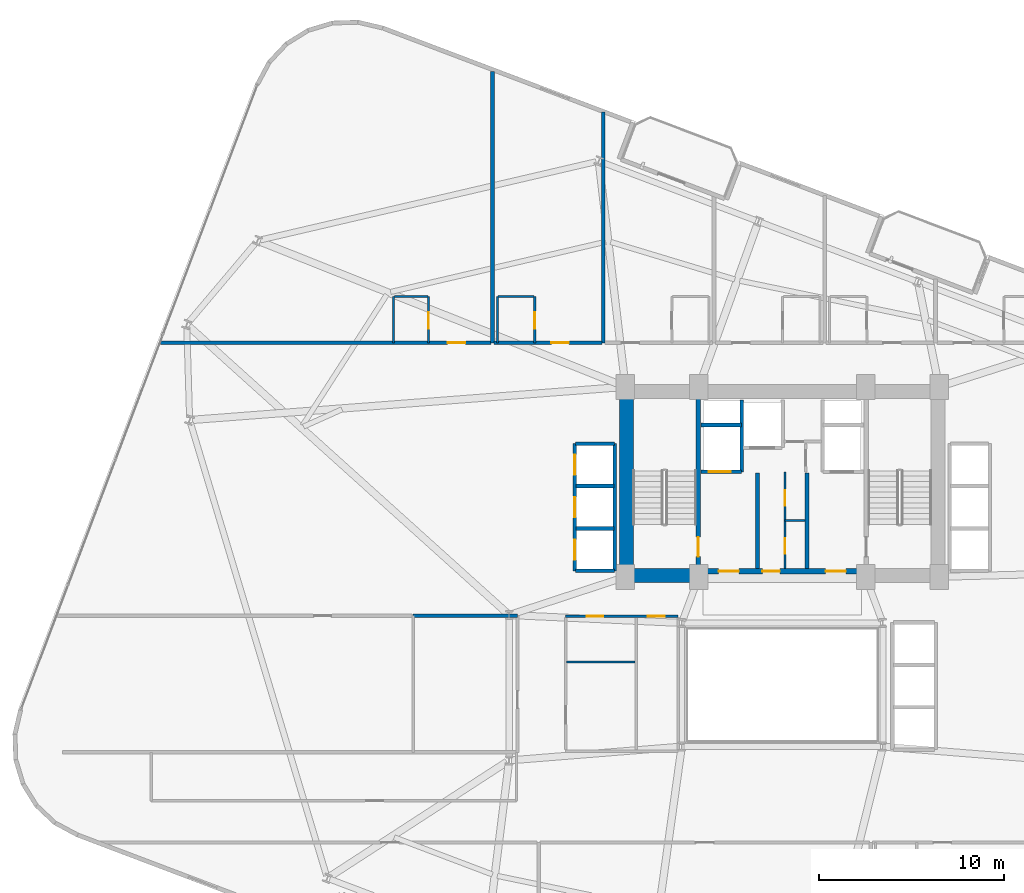
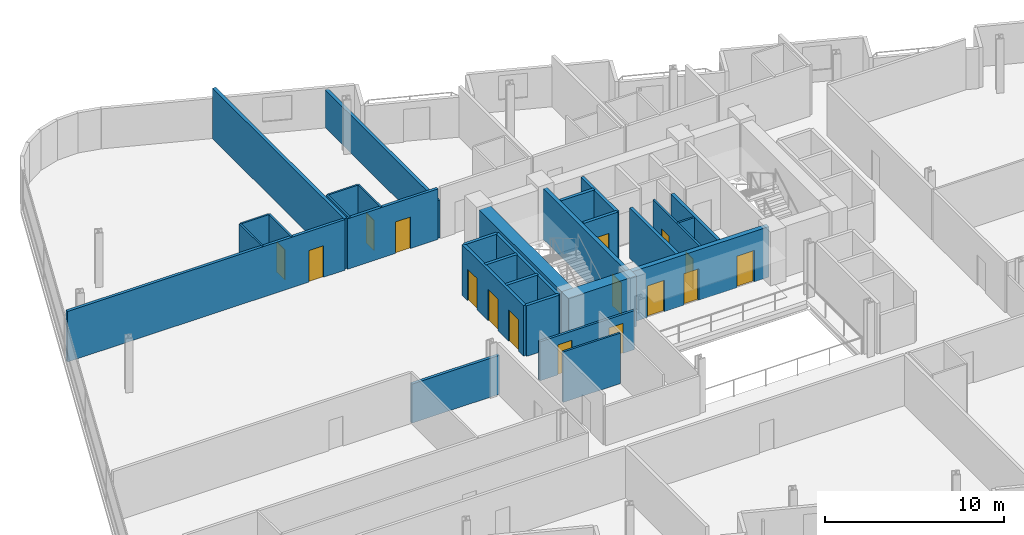
# One storey, part 18 of 24: 30 walls, 16 doors, 16 openings.
"""IFC4 building model written with IfcOpenShell, lengths in metres."""

from ifc_helpers import new_model, si_unit, direction, frame, frame_2d, origin, place, context, subcontext, project, spatial, rectangle, extrude, material, layer, layer_set, type_object, element, fill, save


model = new_model("IFC4")

# Units and contexts
model_context = context("Model", 3, precision=1e-05, world=origin(), true_north=direction((0.0, 1.0)))
body_context = subcontext(model_context, "Body", "Model", "MODEL_VIEW")
ifc_project = project(units=[si_unit("LENGTHUNIT", "METRE"), si_unit("AREAUNIT", "SQUARE_METRE"), si_unit("VOLUMEUNIT", "CUBIC_METRE"), si_unit("PLANEANGLEUNIT", "RADIAN"), si_unit("MASSUNIT", "GRAM", prefix="KILO")], contexts=[model_context])

# Site, building, storey
site_placement = place(None, origin())
site = spatial("IfcSite", under=ifc_project, at=site_placement, CompositionType="ELEMENT")
building_placement = place(site_placement, origin())
building = spatial("IfcBuilding", under=site, at=building_placement, Name="Varnelok Gate Tower", CompositionType="ELEMENT")
storey_placement = place(building_placement, frame((0.0, 0.0, 87.300048828125)))
storey = spatial("IfcBuildingStorey", under=building, at=storey_placement, Name="L21", CompositionType="ELEMENT", Elevation=87.300048828125)

# Wall, opening, door
ifc_material_1 = material(Name="Gypsum Plasterboard Acoustic Partition", Category="gypsum")
ifc_layer_1 = layer(ifc_material_1, 0.179931640625)
ifc_layer_set_1 = layer_set([ifc_layer_1], Name="Gypsum Plasterboard Acoustic Partition")
wall_type_1 = type_object("IfcWallType", Name="PW-CORR-180", PredefinedType="PARTITIONING", material=ifc_layer_set_1)
wall_1_placement = place(storey_placement, frame((5.505859375, 41.429931640625, 0.0), z_axis=(0.0, 0.0, 1.0), x_axis=(1.0, 0.0, 0.0)))
wall_1 = element("IfcWall", 1, at=wall_1_placement, inside=storey, type_object=wall_type_1, Name="Interior Partition", PredefinedType="PARTITIONING", context=body_context, shape_type="SweptSolid", body=[
    extrude(rectangle(XDim=17.9140625, YDim=0.179931640625, at=frame_2d((8.95703125, 0.0))), origin(), (0.0, 0.0, 1.0), 3.449951171875),
])
opening_1_placement = place(wall_1_placement, frame((15.564208984375, 0.0, 0.0)))
opening_1 = element("IfcOpeningElement", 2, at=opening_1_placement, cuts=wall_1, Name="Opening D-HT", PredefinedType="OPENING", context=body_context, shape_type="SweptSolid", body=[
    extrude(rectangle(XDim=0.949951171875, YDim=2.14990234375, at=frame_2d((0.47509765625, 1.074951171875))), frame((0.0, 0.099853515625, 0.0), z_axis=(0.0, -1.0, 0.0), x_axis=(1.0, 0.0, 0.0)), (0.0, 0.0, 1.0), 0.199951171875),
])
ifc_material_2 = material(Name="Engineered Hardwood Timber", Category="wood")
door_type_1 = type_object("IfcDoorType", Name="DR-HTL-950", OperationType="NOTDEFINED", PredefinedType="DOOR", material=ifc_material_2)
door_1_placement = place(opening_1_placement, origin())
door_1 = element("IfcDoor", 3, at=door_1_placement, inside=storey, type_object=door_type_1, Name="L21 Guest Room 05 Entrance Door", OperationType="SINGLE_SWING_RIGHT", OverallHeight=2.14990234375, OverallWidth=0.949951171875, PredefinedType="DOOR", context=body_context, shape_type="SweptSolid", body=[
    extrude(rectangle(XDim=0.949951171875, YDim=2.14990234375, at=frame_2d((0.47509765625, 1.074951171875))), frame((0.0, 0.02490234375, 0.0), z_axis=(0.0, -1.0, 0.0), x_axis=(1.0, 0.0, 0.0)), (0.0, 0.0, 1.0), 0.050048828125),
])
fill(opening_1, door_1)

wall_2_placement = place(storey_placement, frame((23.580078125, 41.429931640625, 0.0), z_axis=(0.0, 0.0, 1.0), x_axis=(1.0, 0.0, 0.0)))
wall_2 = element("IfcWall", 4, at=wall_2_placement, inside=storey, type_object=wall_type_1, Name="Interior Partition", PredefinedType="PARTITIONING", context=body_context, shape_type="SweptSolid", body=[
    extrude(rectangle(XDim=5.83984375, YDim=0.179931640625, at=frame_2d((2.919921875, 0.0))), origin(), (0.0, 0.0, 1.0), 3.449951171875),
])
opening_2_placement = place(wall_2_placement, frame((3.101318359375, 0.0, 0.0)))
opening_2 = element("IfcOpeningElement", 5, at=opening_2_placement, cuts=wall_2, Name="Opening D-HT", PredefinedType="OPENING", context=body_context, shape_type="SweptSolid", body=[
    extrude(rectangle(XDim=0.949951171875, YDim=2.14990234375, at=frame_2d((0.47509765625, 1.074951171875))), frame((0.0, 0.099853515625, 0.0), z_axis=(0.0, -1.0, 0.0), x_axis=(1.0, 0.0, 0.0)), (0.0, 0.0, 1.0), 0.199951171875),
])
door_2_placement = place(opening_2_placement, origin())
door_2 = element("IfcDoor", 6, at=door_2_placement, inside=storey, type_object=door_type_1, Name="L21 Guest Room 06 Entrance Door", OperationType="SINGLE_SWING_LEFT", OverallHeight=2.14990234375, OverallWidth=0.949951171875, PredefinedType="DOOR", context=body_context, shape_type="SweptSolid", body=[
    extrude(rectangle(XDim=0.949951171875, YDim=2.14990234375, at=frame_2d((0.47509765625, 1.074951171875))), frame((0.0, 0.02490234375, 0.0), z_axis=(0.0, -1.0, 0.0), x_axis=(1.0, 0.0, 0.0)), (0.0, 0.0, 1.0), 0.050048828125),
])
fill(opening_2, door_2)

# Walls
wall_3_placement = place(storey_placement, frame((19.199951171875, 26.639892578125, 0.0), z_axis=(0.0, 0.0, 1.0), x_axis=(1.0, 0.0, 0.0)))
element("IfcWall", 7, at=wall_3_placement, inside=storey, type_object=wall_type_1, Name="Interior Partition", PredefinedType="PARTITIONING", context=body_context, shape_type="SweptSolid", body=[
    extrude(rectangle(XDim=5.650146484375, YDim=0.179931640625, at=frame_2d((2.8251953125, 0.0))), origin(), (0.0, 0.0, 1.0), 2.661865234375),
])
ifc_layer_2 = layer(ifc_material_1, 0.114990234375)
ifc_layer_set_2 = layer_set([ifc_layer_2], Name="Gypsum Plasterboard Acoustic Partition")
wall_type_2 = type_object("IfcWallType", Name="PW-ENS-125", PredefinedType="PARTITIONING", material=ifc_layer_set_2)
wall_4_placement = place(storey_placement, frame((18.179931640625, 43.949951171875, 0.0), z_axis=(0.0, 0.0, 1.0), x_axis=(1.0, 0.0, 0.0)))
element("IfcWall", 8, at=wall_4_placement, inside=storey, type_object=wall_type_2, Name="Interior Partition", PredefinedType="PARTITIONING", context=body_context, shape_type="SweptSolid", body=[
    extrude(rectangle(XDim=1.807373046875, YDim=0.114990234375, at=frame_2d((0.90380859375, 0.0))), origin(), (0.0, 0.0, 1.0), 3.449951171875),
])

# Wall, opening, door
wall_5_placement = place(storey_placement, frame((20.027099609375, 41.429931640625, 0.0), z_axis=(0.0, 0.0, 1.0), x_axis=(0.0, 1.0, 0.0)))
wall_5 = element("IfcWall", 9, at=wall_5_placement, inside=storey, type_object=wall_type_2, Name="Interior Partition", PredefinedType="PARTITIONING", context=body_context, shape_type="SweptSolid", body=[
    extrude(rectangle(XDim=2.52001953125, YDim=0.114990234375, at=frame_2d((1.260009765625, 0.0))), origin(), (0.0, 0.0, 1.0), 3.449951171875),
])
opening_3_placement = place(wall_5_placement, frame((0.760009765625, 0.0, 0.0)))
opening_3 = element("IfcOpeningElement", 10, at=opening_3_placement, cuts=wall_5, Name="Opening D-WC", PredefinedType="OPENING", context=body_context, shape_type="SweptSolid", body=[
    extrude(rectangle(XDim=0.89990234375, YDim=2.050048828125, at=frame_2d((0.449951171875, 1.02490234375))), frame((0.0, 0.0673828125, 0.0), z_axis=(0.0, -1.0, 0.0), x_axis=(1.0, 0.0, 0.0)), (0.0, 0.0, 1.0), 0.135009765625),
])
door_type_2 = type_object("IfcDoorType", Name="DR-BATH-900", OperationType="NOTDEFINED", PredefinedType="DOOR", material=ifc_material_2)
door_3_placement = place(opening_3_placement, origin())
door_3 = element("IfcDoor", 11, at=door_3_placement, inside=storey, type_object=door_type_2, Name="L21 North En-Suite 05 Door", OperationType="SINGLE_SWING_RIGHT", OverallHeight=2.050048828125, OverallWidth=0.89990234375, PredefinedType="DOOR", context=body_context, shape_type="SweptSolid", body=[
    extrude(rectangle(XDim=0.89990234375, YDim=2.050048828125, at=frame_2d((0.449951171875, 1.02490234375))), frame((0.0, 0.02490234375, 0.0), z_axis=(0.0, -1.0, 0.0), x_axis=(1.0, 0.0, 0.0)), (0.0, 0.0, 1.0), 0.050048828125),
])
fill(opening_3, door_3)

# Walls
wall_6_placement = place(storey_placement, frame((18.139892578125, 41.429931640625, 0.0), z_axis=(0.0, 0.0, 1.0), x_axis=(0.0, 1.0, 0.0)))
element("IfcWall", 12, at=wall_6_placement, inside=storey, type_object=wall_type_2, Name="Interior Partition", PredefinedType="PARTITIONING", context=body_context, shape_type="SweptSolid", body=[
    extrude(rectangle(XDim=2.52001953125, YDim=0.114990234375, at=frame_2d((1.260009765625, 0.0))), origin(), (0.0, 0.0, 1.0), 3.449951171875),
])
wall_7_placement = place(storey_placement, frame((23.800048828125, 43.949951171875, 0.0), z_axis=(0.0, 0.0, 1.0), x_axis=(1.0, 0.0, 0.0)))
element("IfcWall", 13, at=wall_7_placement, inside=storey, type_object=wall_type_2, Name="Interior Partition", PredefinedType="PARTITIONING", context=body_context, shape_type="SweptSolid", body=[
    extrude(rectangle(XDim=1.94384765625, YDim=0.114990234375, at=frame_2d((0.971923828125, 0.0))), origin(), (0.0, 0.0, 1.0), 3.449951171875),
])

# Wall, opening, door
wall_8_placement = place(storey_placement, frame((25.783935546875, 41.429931640625, 0.0), z_axis=(0.0, 0.0, 1.0), x_axis=(0.0, 1.0, 0.0)))
wall_8 = element("IfcWall", 14, at=wall_8_placement, inside=storey, type_object=wall_type_2, Name="Interior Partition", PredefinedType="PARTITIONING", context=body_context, shape_type="SweptSolid", body=[
    extrude(rectangle(XDim=2.52001953125, YDim=0.114990234375, at=frame_2d((1.260009765625, 0.0))), origin(), (0.0, 0.0, 1.0), 3.449951171875),
])
opening_4_placement = place(wall_8_placement, frame((0.760009765625, 0.0, 0.0)))
opening_4 = element("IfcOpeningElement", 15, at=opening_4_placement, cuts=wall_8, Name="Opening D-WC", PredefinedType="OPENING", context=body_context, shape_type="SweptSolid", body=[
    extrude(rectangle(XDim=0.89990234375, YDim=2.050048828125, at=frame_2d((0.449951171875, 1.02490234375))), frame((0.0, 0.0673828125, 0.0), z_axis=(0.0, -1.0, 0.0), x_axis=(1.0, 0.0, 0.0)), (0.0, 0.0, 1.0), 0.135009765625),
])
door_4_placement = place(opening_4_placement, origin())
door_4 = element("IfcDoor", 16, at=door_4_placement, inside=storey, type_object=door_type_2, Name="L21 North En-Suite 06 Door", OperationType="SINGLE_SWING_RIGHT", OverallHeight=2.050048828125, OverallWidth=0.89990234375, PredefinedType="DOOR", context=body_context, shape_type="SweptSolid", body=[
    extrude(rectangle(XDim=0.89990234375, YDim=2.050048828125, at=frame_2d((0.449951171875, 1.02490234375))), frame((0.0, 0.02490234375, 0.0), z_axis=(0.0, -1.0, 0.0), x_axis=(1.0, 0.0, 0.0)), (0.0, 0.0, 1.0), 0.050048828125),
])
fill(opening_4, door_4)

# Walls
wall_9_placement = place(storey_placement, frame((23.760009765625, 41.429931640625, 0.0), z_axis=(0.0, 0.0, 1.0), x_axis=(0.0, 1.0, 0.0)))
element("IfcWall", 17, at=wall_9_placement, inside=storey, type_object=wall_type_2, Name="Interior Partition", PredefinedType="PARTITIONING", context=body_context, shape_type="SweptSolid", body=[
    extrude(rectangle(XDim=2.52001953125, YDim=0.114990234375, at=frame_2d((1.260009765625, 0.0))), origin(), (0.0, 0.0, 1.0), 3.449951171875),
])
ifc_layer_3 = layer(ifc_material_1, 0.125)
ifc_layer_set_3 = layer_set([ifc_layer_3], Name="Gypsum Plasterboard Acoustic Partition")
wall_type_3 = type_object("IfcWallType", Name="PW-PART-125", PredefinedType="PARTITIONING", material=ifc_layer_set_3)
wall_10_placement = place(storey_placement, frame((39.35009765625, 31.800048828125, 0.0), z_axis=(0.0, 0.0, 1.0), x_axis=(1.0, 0.0, 0.0)))
element("IfcWall", 18, at=wall_10_placement, inside=storey, type_object=wall_type_3, Name="Interior Partition", PredefinedType="PARTITIONING", context=body_context, shape_type="SweptSolid", body=[
    extrude(rectangle(XDim=1.08984375, YDim=0.125, at=frame_2d((0.544921875, 0.0))), origin(), (0.0, 0.0, 1.0), 3.449951171875),
])

# Wall, openings, doors
wall_11_placement = place(storey_placement, frame((39.35009765625, 29.199951171875, 0.0), z_axis=(0.0, 0.0, 1.0), x_axis=(0.0, 1.0, 0.0)))
wall_11 = element("IfcWall", 19, at=wall_11_placement, inside=storey, type_object=wall_type_3, Name="Interior Partition", PredefinedType="PARTITIONING", context=body_context, shape_type="SweptSolid", body=[
    extrude(rectangle(XDim=5.219970703125, YDim=0.125, at=frame_2d((2.60986328125, 0.0))), origin(), (0.0, 0.0, 1.0), 3.449951171875),
])
opening_5_placement = place(wall_11_placement, frame((0.800048828125, 0.0, 0.0)))
opening_5 = element("IfcOpeningElement", 20, at=opening_5_placement, cuts=wall_11, Name="Opening D-RS", PredefinedType="OPENING", context=body_context, shape_type="SweptSolid", body=[
    extrude(rectangle(XDim=0.85009765625, YDim=2.050048828125, at=frame_2d((0.425048828125, 1.02490234375))), frame((0.0, 0.072509765625, 0.0), z_axis=(0.0, -1.0, 0.0), x_axis=(1.0, 0.0, 0.0)), (0.0, 0.0, 1.0), 0.14501953125),
])
opening_6_placement = place(wall_11_placement, frame((3.39990234375, 0.0, 0.0)))
opening_6 = element("IfcOpeningElement", 21, at=opening_6_placement, cuts=wall_11, Name="Opening D-RS", PredefinedType="OPENING", context=body_context, shape_type="SweptSolid", body=[
    extrude(rectangle(XDim=0.85009765625, YDim=2.050048828125, at=frame_2d((0.425048828125, 1.02490234375))), frame((0.0, 0.072509765625, 0.0), z_axis=(0.0, -1.0, 0.0), x_axis=(1.0, 0.0, 0.0)), (0.0, 0.0, 1.0), 0.14501953125),
])
ifc_material_3 = material(Name="Galvanized Steel Grade S350GD", Category="steel")
door_type_3 = type_object("IfcDoorType", Name="DR-RISER-850", OperationType="NOTDEFINED", PredefinedType="DOOR", material=ifc_material_3)
door_5_placement = place(opening_5_placement, origin())
door_5 = element("IfcDoor", 22, at=door_5_placement, inside=storey, type_object=door_type_3, Name="L21 Housekeeping Linen Door", OperationType="SINGLE_SWING_RIGHT", OverallHeight=2.050048828125, OverallWidth=0.85009765625, PredefinedType="DOOR", context=body_context, shape_type="SweptSolid", body=[
    extrude(rectangle(XDim=0.85009765625, YDim=2.050048828125, at=frame_2d((0.425048828125, 1.02490234375))), frame((0.0, 0.02490234375, 0.0), z_axis=(0.0, -1.0, 0.0), x_axis=(1.0, 0.0, 0.0)), (0.0, 0.0, 1.0), 0.050048828125),
])
fill(opening_5, door_5)
door_6_placement = place(opening_6_placement, origin())
door_6 = element("IfcDoor", 23, at=door_6_placement, inside=storey, type_object=door_type_3, Name="L21 Core Supply Door", OperationType="SINGLE_SWING_LEFT", OverallHeight=2.050048828125, OverallWidth=0.85009765625, PredefinedType="DOOR", context=body_context, shape_type="SweptSolid", body=[
    extrude(rectangle(XDim=0.85009765625, YDim=2.050048828125, at=frame_2d((0.425048828125, 1.02490234375))), frame((0.0, 0.02490234375, 0.0), z_axis=(0.0, -1.0, 0.0), x_axis=(1.0, 0.0, 0.0)), (0.0, 0.0, 1.0), 0.050048828125),
])
fill(opening_6, door_6)

# Wall
wall_12_placement = place(storey_placement, frame((27.52001953125, 24.1298828125, 0.0), z_axis=(0.0, 0.0, 1.0), x_axis=(1.0, 0.0, 0.0)))
element("IfcWall", 24, at=wall_12_placement, inside=storey, type_object=wall_type_3, Name="Interior Partition", PredefinedType="PARTITIONING", context=body_context, shape_type="SweptSolid", body=[
    extrude(rectangle(XDim=3.699951171875, YDim=0.125, at=frame_2d((1.85009765625, 0.0))), origin(), (0.0, 0.0, 1.0), 3.449951171875),
])

# Wall, openings, doors
ifc_layer_4 = layer(ifc_material_1, 0.14990234375)
ifc_layer_set_4 = layer_set([ifc_layer_4], Name="Gypsum Plasterboard Acoustic Partition")
wall_type_4 = type_object("IfcWallType", Name="PW-PART-150", PredefinedType="PARTITIONING", material=ifc_layer_set_4)
wall_13_placement = place(storey_placement, frame((27.4599609375, 26.6201171875, 0.0), z_axis=(0.0, 0.0, 1.0), x_axis=(1.0, 0.0, 0.0)))
wall_13 = element("IfcWall", 25, at=wall_13_placement, inside=storey, type_object=wall_type_4, Name="Interior Partition", PredefinedType="PARTITIONING", context=body_context, shape_type="SweptSolid", body=[
    extrude(rectangle(XDim=6.10009765625, YDim=0.14990234375, at=frame_2d((3.050048828125, 0.0))), origin(), (0.0, 0.0, 1.0), 2.661865234375),
])
opening_7_placement = place(wall_13_placement, frame((1.14990234375, 0.0, 0.0)))
opening_7 = element("IfcOpeningElement", 26, at=opening_7_placement, cuts=wall_13, Name="Opening D-WC", PredefinedType="OPENING", context=body_context, shape_type="SweptSolid", body=[
    extrude(rectangle(XDim=0.89990234375, YDim=2.050048828125, at=frame_2d((0.449951171875, 1.02490234375))), frame((0.0, 0.0849609375, 0.0), z_axis=(0.0, -1.0, 0.0), x_axis=(1.0, 0.0, 0.0)), (0.0, 0.0, 1.0), 0.169921875),
])
opening_8_placement = place(wall_13_placement, frame((4.449951171875, 0.0, 0.0)))
opening_8 = element("IfcOpeningElement", 27, at=opening_8_placement, cuts=wall_13, Name="Opening D-I3", PredefinedType="OPENING", context=body_context, shape_type="SweptSolid", body=[
    extrude(rectangle(XDim=0.919921875, YDim=2.050048828125, at=frame_2d((0.4599609375, 1.02490234375))), frame((0.0, 0.0849609375, 0.0), z_axis=(0.0, -1.0, 0.0), x_axis=(1.0, 0.0, 0.0)), (0.0, 0.0, 1.0), 0.169921875),
])
door_7_placement = place(opening_7_placement, origin())
door_7 = element("IfcDoor", 28, at=door_7_placement, inside=storey, type_object=door_type_2, Name="L21 Accessible Floor WC Door", OperationType="SINGLE_SWING_LEFT", OverallHeight=2.050048828125, OverallWidth=0.89990234375, PredefinedType="DOOR", context=body_context, shape_type="SweptSolid", body=[
    extrude(rectangle(XDim=0.89990234375, YDim=2.050048828125, at=frame_2d((0.449951171875, 1.02490234375))), frame((0.0, 0.02490234375, 0.0), z_axis=(0.0, -1.0, 0.0), x_axis=(1.0, 0.0, 0.0)), (0.0, 0.0, 1.0), 0.050048828125),
])
fill(opening_7, door_7)
door_type_4 = type_object("IfcDoorType", Name="DR-INT-920", OperationType="NOTDEFINED", PredefinedType="DOOR", material=ifc_material_2)
door_8_placement = place(opening_8_placement, origin())
door_8 = element("IfcDoor", 29, at=door_8_placement, inside=storey, type_object=door_type_4, Name="L21 Valet Pantry Door", OperationType="SINGLE_SWING_RIGHT", OverallHeight=2.050048828125, OverallWidth=0.919921875, PredefinedType="DOOR", context=body_context, shape_type="SweptSolid", body=[
    extrude(rectangle(XDim=0.919921875, YDim=2.050048828125, at=frame_2d((0.4599609375, 1.02490234375))), frame((0.0, 0.02490234375, 0.0), z_axis=(0.0, -1.0, 0.0), x_axis=(1.0, 0.0, 0.0)), (0.0, 0.0, 1.0), 0.050048828125),
])
fill(opening_8, door_8)

# Walls
ifc_layer_5 = layer(ifc_material_1, 0.205078125)
ifc_layer_set_5 = layer_set([ifc_layer_5], Name="Gypsum Plasterboard Acoustic Partition")
wall_type_5 = type_object("IfcWallType", Name="PW-PARTY-200", PredefinedType="PARTITIONING", material=ifc_layer_set_5)
wall_14_placement = place(storey_placement, frame((23.5, 41.429931640625, 0.0), z_axis=(0.0, 0.0, 1.0), x_axis=(0.0, 1.0, 0.0)))
element("IfcWall", 30, at=wall_14_placement, inside=storey, type_object=wall_type_5, Name="L21 North Party Wall 1", PredefinedType="PARTITIONING", context=body_context, shape_type="SweptSolid", body=[
    extrude(rectangle(XDim=14.708251953125, YDim=0.205078125, at=frame_2d((7.35400390625, 0.0))), origin(), (0.0, 0.0, 1.0), 3.449951171875),
])
wall_15_placement = place(storey_placement, frame((29.5, 41.429931640625, 0.0), z_axis=(0.0, 0.0, 1.0), x_axis=(0.0, 1.0, 0.0)))
element("IfcWall", 31, at=wall_15_placement, inside=storey, type_object=wall_type_5, Name="L21 North Party Wall 2", PredefinedType="PARTITIONING", context=body_context, shape_type="SweptSolid", body=[
    extrude(rectangle(XDim=12.520263671875, YDim=0.205078125, at=frame_2d((6.26025390625, 0.0))), origin(), (0.0, 0.0, 1.0), 2.579833984375),
])
ifc_material_4 = material(Name="Concrete C35/45", Category="concrete")
ifc_layer_6 = layer(ifc_material_4, 0.199951171875)
ifc_layer_set_6 = layer_set([ifc_layer_6], Name="Concrete C35/45")
wall_type_6 = type_object("IfcWallType", Name="PW-SHAFT-200", PredefinedType="PARTITIONING", material=ifc_layer_set_6)
for number, where, z_axis, x_axis, name in (
    (32, (37.860107421875, 29.199951171875, 0.0), (0.0, 0.0, 1.0), (0.0, 1.0, 0.0), "L21 West FF Lobby Rated Wall"),
    (33, (40.5400390625, 29.199951171875, 0.0), (0.0, 0.0, 1.0), (0.0, 1.0, 0.0), "L21 East FF Lobby Rated Wall"),
):
    element("IfcWall", number, at=place(storey_placement, frame(where, z_axis=z_axis, x_axis=x_axis)), inside=storey, type_object=wall_type_6, Name=name, PredefinedType="PARTITIONING", context=body_context, shape_type="SweptSolid", body=[
        extrude(rectangle(XDim=5.179931640625, YDim=0.199951171875, at=frame_2d((2.58984375, 0.0))), origin(), (0.0, 0.0, 1.0), 3.449951171875),
    ])

# Wall, opening, door
wall_16_placement = place(storey_placement, frame((34.800048828125, 34.43994140625, 0.0), z_axis=(0.0, 0.0, 1.0), x_axis=(1.0, 0.0, 0.0)))
wall_16 = element("IfcWall", 34, at=wall_16_placement, inside=storey, type_object=wall_type_6, Name="L21 FF1 Shaft Front Wall", PredefinedType="PARTITIONING", context=body_context, shape_type="SweptSolid", body=[
    extrude(rectangle(XDim=2.179931640625, YDim=0.199951171875, at=frame_2d((1.08984375, 0.0))), origin(), (0.0, 0.0, 1.0), 3.449951171875),
])
opening_9_placement = place(wall_16_placement, frame((0.419921875, 0.0, 0.0)))
opening_9 = element("IfcOpeningElement", 35, at=opening_9_placement, cuts=wall_16, Name="Opening LD-FF1", PredefinedType="OPENING", context=body_context, shape_type="SweptSolid", body=[
    extrude(rectangle(XDim=1.199951171875, YDim=2.199951171875, at=frame_2d((0.60009765625, 1.10009765625))), frame((0.0, 0.10986328125, 0.0), z_axis=(0.0, -1.0, 0.0), x_axis=(1.0, 0.0, 0.0)), (0.0, 0.0, 1.0), 0.219970703125),
])
door_type_5 = type_object("IfcDoorType", Name="DR-LIFT-FF1200", OperationType="SLIDING_TO_LEFT", PredefinedType="DOOR", material=ifc_material_3)
door_9_placement = place(opening_9_placement, origin())
door_9 = element("IfcDoor", 36, at=door_9_placement, inside=storey, type_object=door_type_5, Name="L21 Firefighting Lift Landing Door LD-FF1", OperationType="SLIDING_TO_LEFT", OverallHeight=2.199951171875, OverallWidth=1.199951171875, PredefinedType="DOOR", context=body_context, shape_type="SweptSolid", body=[
    extrude(rectangle(XDim=1.199951171875, YDim=2.199951171875, at=frame_2d((0.60009765625, 1.10009765625))), frame((0.0, 0.02490234375, 0.0), z_axis=(0.0, -1.0, 0.0), x_axis=(1.0, 0.0, 0.0)), (0.0, 0.0, 1.0), 0.050048828125),
])
fill(opening_9, door_9)

# Walls
wall_17_placement = place(storey_placement, frame((34.800048828125, 36.97998046875, 0.0), z_axis=(0.0, 0.0, 1.0), x_axis=(1.0, 0.0, 0.0)))
element("IfcWall", 37, at=wall_17_placement, inside=storey, type_object=wall_type_6, Name="L21 FF1 Shaft North Wall", PredefinedType="PARTITIONING", context=body_context, shape_type="SweptSolid", body=[
    extrude(rectangle(XDim=2.179931640625, YDim=0.199951171875, at=frame_2d((1.08984375, 0.0))), origin(), (0.0, 0.0, 1.0), 3.449951171875),
])
wall_18_placement = place(storey_placement, frame((37.0, 34.43994140625, 0.0), z_axis=(0.0, 0.0, 1.0), x_axis=(0.0, 1.0, 0.0)))
element("IfcWall", 38, at=wall_18_placement, inside=storey, type_object=wall_type_6, Name="L21 FF1 Shaft Side Wall", PredefinedType="PARTITIONING", context=body_context, shape_type="SweptSolid", body=[
    extrude(rectangle(XDim=3.900146484375, YDim=0.199951171875, at=frame_2d((1.9501953125, 0.0))), origin(), (0.0, 0.0, 1.0), 3.449951171875),
])
for number, where, z_axis, x_axis, name in (
    (39, (28.02001953125, 31.375, 0.0), (0.0, 0.0, 1.0), (1.0, 0.0, 0.0), "L21 PL1 Divider"),
    (40, (28.02001953125, 33.675048828125, 0.0), (0.0, 0.0, 1.0), (1.0, 0.0, 0.0), "L21 PL2 Divider"),
):
    element("IfcWall", number, at=place(storey_placement, frame(where, z_axis=z_axis, x_axis=x_axis)), inside=storey, type_object=wall_type_6, Name=name, PredefinedType="PARTITIONING", context=body_context, shape_type="SweptSolid", body=[
        extrude(rectangle(XDim=2.06005859375, YDim=0.199951171875, at=frame_2d((1.030029296875, 0.0))), origin(), (0.0, 0.0, 1.0), 3.449951171875),
    ])
for number, where, z_axis, x_axis, name in (
    (41, (28.0, 29.080078125, 0.0), (0.0, 0.0, 1.0), (1.0, 0.0, 0.0), "L21 PL Bank South Wall"),
    (42, (28.0, 35.969970703125, 0.0), (0.0, 0.0, 1.0), (1.0, 0.0, 0.0), "L21 PL Bank North Wall"),
):
    element("IfcWall", number, at=place(storey_placement, frame(where, z_axis=z_axis, x_axis=x_axis)), inside=storey, type_object=wall_type_6, Name=name, PredefinedType="PARTITIONING", context=body_context, shape_type="SweptSolid", body=[
        extrude(rectangle(XDim=2.10009765625, YDim=0.199951171875, at=frame_2d((1.050048828125, 0.0))), origin(), (0.0, 0.0, 1.0), 3.449951171875),
    ])
wall_19_placement = place(storey_placement, frame((30.1201171875, 29.080078125, 0.0), z_axis=(0.0, 0.0, 1.0), x_axis=(0.0, 1.0, 0.0)))
element("IfcWall", 43, at=wall_19_placement, inside=storey, type_object=wall_type_6, Name="L21 PL Bank Back Wall", PredefinedType="PARTITIONING", context=body_context, shape_type="SweptSolid", body=[
    extrude(rectangle(XDim=6.889892578125, YDim=0.199951171875, at=frame_2d((3.44482421875, 0.0))), origin(), (0.0, 0.0, 1.0), 3.449951171875),
])

# Wall, openings, doors
wall_20_placement = place(storey_placement, frame((27.9599609375, 29.080078125, 0.0), z_axis=(0.0, 0.0, 1.0), x_axis=(0.0, 1.0, 0.0)))
wall_20 = element("IfcWall", 44, at=wall_20_placement, inside=storey, type_object=wall_type_6, Name="L21 PL Bank Front Wall", PredefinedType="PARTITIONING", context=body_context, shape_type="SweptSolid", body=[
    extrude(rectangle(XDim=6.889892578125, YDim=0.199951171875, at=frame_2d((3.44482421875, 0.0))), origin(), (0.0, 0.0, 1.0), 3.449951171875),
])
opening_10_placement = place(wall_20_placement, frame((0.590087890625, 0.0, 0.0)))
opening_10 = element("IfcOpeningElement", 45, at=opening_10_placement, cuts=wall_20, Name="Opening LD-PL1", PredefinedType="OPENING", context=body_context, shape_type="SweptSolid", body=[
    extrude(rectangle(XDim=1.10009765625, YDim=2.14990234375, at=frame_2d((0.550048828125, 1.074951171875))), frame((0.0, 0.10986328125, 0.0), z_axis=(0.0, -1.0, 0.0), x_axis=(1.0, 0.0, 0.0)), (0.0, 0.0, 1.0), 0.219970703125),
])
opening_11_placement = place(wall_20_placement, frame((2.889892578125, 0.0, 0.0)))
opening_11 = element("IfcOpeningElement", 46, at=opening_11_placement, cuts=wall_20, Name="Opening LD-PL2", PredefinedType="OPENING", context=body_context, shape_type="SweptSolid", body=[
    extrude(rectangle(XDim=1.10009765625, YDim=2.14990234375, at=frame_2d((0.550048828125, 1.074951171875))), frame((0.0, 0.10986328125, 0.0), z_axis=(0.0, -1.0, 0.0), x_axis=(1.0, 0.0, 0.0)), (0.0, 0.0, 1.0), 0.219970703125),
])
opening_12_placement = place(wall_20_placement, frame((5.18994140625, 0.0, 0.0)))
opening_12 = element("IfcOpeningElement", 47, at=opening_12_placement, cuts=wall_20, Name="Opening LD-PL3", PredefinedType="OPENING", context=body_context, shape_type="SweptSolid", body=[
    extrude(rectangle(XDim=1.10009765625, YDim=2.14990234375, at=frame_2d((0.550048828125, 1.074951171875))), frame((0.0, 0.10986328125, 0.0), z_axis=(0.0, -1.0, 0.0), x_axis=(1.0, 0.0, 0.0)), (0.0, 0.0, 1.0), 0.219970703125),
])
door_type_6 = type_object("IfcDoorType", Name="DR-LIFT-PAX1100", OperationType="SLIDING_TO_LEFT", PredefinedType="DOOR", material=ifc_material_3)
door_10_placement = place(opening_10_placement, origin())
door_10 = element("IfcDoor", 48, at=door_10_placement, inside=storey, type_object=door_type_6, Name="L21 Passenger Lift Landing Door LD-PL1", OperationType="SLIDING_TO_LEFT", OverallHeight=2.14990234375, OverallWidth=1.10009765625, PredefinedType="DOOR", context=body_context, shape_type="SweptSolid", body=[
    extrude(rectangle(XDim=1.10009765625, YDim=2.14990234375, at=frame_2d((0.550048828125, 1.074951171875))), frame((0.0, 0.02490234375, 0.0), z_axis=(0.0, -1.0, 0.0), x_axis=(1.0, 0.0, 0.0)), (0.0, 0.0, 1.0), 0.050048828125),
])
fill(opening_10, door_10)
door_11_placement = place(opening_11_placement, origin())
door_11 = element("IfcDoor", 49, at=door_11_placement, inside=storey, type_object=door_type_6, Name="L21 Passenger Lift Landing Door LD-PL2", OperationType="SLIDING_TO_LEFT", OverallHeight=2.14990234375, OverallWidth=1.10009765625, PredefinedType="DOOR", context=body_context, shape_type="SweptSolid", body=[
    extrude(rectangle(XDim=1.10009765625, YDim=2.14990234375, at=frame_2d((0.550048828125, 1.074951171875))), frame((0.0, 0.02490234375, 0.0), z_axis=(0.0, -1.0, 0.0), x_axis=(1.0, 0.0, 0.0)), (0.0, 0.0, 1.0), 0.050048828125),
])
fill(opening_11, door_11)
door_12_placement = place(opening_12_placement, origin())
door_12 = element("IfcDoor", 50, at=door_12_placement, inside=storey, type_object=door_type_6, Name="L21 Passenger Lift Landing Door LD-PL3", OperationType="SLIDING_TO_LEFT", OverallHeight=2.14990234375, OverallWidth=1.10009765625, PredefinedType="DOOR", context=body_context, shape_type="SweptSolid", body=[
    extrude(rectangle(XDim=1.10009765625, YDim=2.14990234375, at=frame_2d((0.550048828125, 1.074951171875))), frame((0.0, 0.02490234375, 0.0), z_axis=(0.0, -1.0, 0.0), x_axis=(1.0, 0.0, 0.0)), (0.0, 0.0, 1.0), 0.050048828125),
])
fill(opening_12, door_12)

# Walls
ifc_material_5 = material(Name="Concrete C70/85", Category="concrete")
ifc_layer_7 = layer(ifc_material_5, 0.75)
ifc_layer_set_7 = layer_set([ifc_layer_7], Name="Concrete C70/85")
wall_type_7 = type_object("IfcWallType", Name="SW-CORE-750", PredefinedType="SHEAR", material=ifc_layer_set_7)
wall_21_placement = place(storey_placement, frame((30.7548828125, 29.199951171875, 0.0), z_axis=(0.0, 0.0, 1.0), x_axis=(0.0, 1.0, 0.0)))
element("IfcWall", 51, at=wall_21_placement, inside=storey, type_object=wall_type_7, Name="L21 Rear Core West Shear Wall", PredefinedType="SHEAR", context=body_context, shape_type="SweptSolid", body=[
    extrude(rectangle(XDim=9.219970703125, YDim=0.75, at=frame_2d((4.60986328125, 0.0))), origin(), (0.0, 0.0, 1.0), 3.449951171875),
])
wall_22_placement = place(storey_placement, frame((30.3798828125, 28.824951171875, 0.0), z_axis=(0.0, 0.0, 1.0), x_axis=(1.0, 0.0, 0.0)))
element("IfcWall", 52, at=wall_22_placement, inside=storey, type_object=wall_type_7, Name="L21 Rear Core South-West Shear Wall", PredefinedType="SHEAR", context=body_context, shape_type="SweptSolid", body=[
    extrude(rectangle(XDim=4.420166015625, YDim=0.75, at=frame_2d((2.2099609375, 0.0))), origin(), (0.0, 0.0, 1.0), 3.449951171875),
])

# Wall, opening, door
ifc_material_6 = material(Name="Concrete C60/75", Category="concrete")
ifc_layer_8 = layer(ifc_material_6, 0.25)
ifc_layer_set_8 = layer_set([ifc_layer_8], Name="Concrete C60/75")
wall_type_8 = type_object("IfcWallType", Name="SW-SHAFT-250", PredefinedType="SHEAR", material=ifc_layer_set_8)
wall_23_placement = place(storey_placement, frame((34.639892578125, 29.199951171875, 0.0), z_axis=(0.0, 0.0, 1.0), x_axis=(0.0, 1.0, 0.0)))
wall_23 = element("IfcWall", 53, at=wall_23_placement, inside=storey, type_object=wall_type_8, Name="L21 Stair ST-1 East Shear Wall", PredefinedType="SHEAR", context=body_context, shape_type="SweptSolid", body=[
    extrude(rectangle(XDim=9.219970703125, YDim=0.25, at=frame_2d((4.60986328125, 0.0))), origin(), (0.0, 0.0, 1.0), 3.449951171875),
])
opening_13_placement = place(wall_23_placement, frame((0.64990234375, 0.0, 0.0)))
opening_13 = element("IfcOpeningElement", 54, at=opening_13_placement, cuts=wall_23, Name="Opening D-ST", PredefinedType="OPENING", context=body_context, shape_type="SweptSolid", body=[
    extrude(rectangle(XDim=1.050048828125, YDim=2.14990234375, at=frame_2d((0.52490234375, 1.074951171875))), frame((0.0, 0.135009765625, 0.0), z_axis=(0.0, -1.0, 0.0), x_axis=(1.0, 0.0, 0.0)), (0.0, 0.0, 1.0), 0.27001953125),
])
door_type_7 = type_object("IfcDoorType", Name="DR-STAIR-1050", OperationType="NOTDEFINED", PredefinedType="DOOR", material=ifc_material_3)
door_13_placement = place(opening_13_placement, origin())
door_13 = element("IfcDoor", 55, at=door_13_placement, inside=storey, type_object=door_type_7, Name="L21 Exit Stair ST-1 Fire Door", OperationType="SINGLE_SWING_LEFT", OverallHeight=2.14990234375, OverallWidth=1.050048828125, PredefinedType="DOOR", context=body_context, shape_type="SweptSolid", body=[
    extrude(rectangle(XDim=1.050048828125, YDim=2.14990234375, at=frame_2d((0.52490234375, 1.074951171875))), frame((0.0, 0.02490234375, 0.0), z_axis=(0.0, -1.0, 0.0), x_axis=(1.0, 0.0, 0.0)), (0.0, 0.0, 1.0), 0.050048828125),
])
fill(opening_13, door_13)

# Wall, openings, doors
ifc_layer_9 = layer(ifc_material_6, 0.300048828125)
ifc_layer_set_9 = layer_set([ifc_layer_9], Name="Concrete C60/75")
wall_type_9 = type_object("IfcWallType", Name="SW-SHAFT-300", PredefinedType="SHEAR", material=ifc_layer_set_9)
wall_24_placement = place(storey_placement, frame((34.800048828125, 29.050048828125, 0.0), z_axis=(0.0, 0.0, 1.0), x_axis=(1.0, 0.0, 0.0)))
wall_24 = element("IfcWall", 56, at=wall_24_placement, inside=storey, type_object=wall_type_9, Name="L21 Rear Core Central Lobby Shear Wall", PredefinedType="SHEAR", context=body_context, shape_type="SweptSolid", body=[
    extrude(rectangle(XDim=8.800048828125, YDim=0.300048828125, at=frame_2d((4.39990234375, 0.0))), origin(), (0.0, 0.0, 1.0), 3.449951171875),
])
opening_14_placement = place(wall_24_placement, frame((0.949951171875, 0.0, 0.0)))
opening_14 = element("IfcOpeningElement", 57, at=opening_14_placement, cuts=wall_24, Name="Opening D-FF", PredefinedType="OPENING", context=body_context, shape_type="SweptSolid", body=[
    extrude(rectangle(XDim=1.10009765625, YDim=2.14990234375, at=frame_2d((0.550048828125, 1.074951171875))), frame((0.0, 0.159912109375, 0.0), z_axis=(0.0, -1.0, 0.0), x_axis=(1.0, 0.0, 0.0)), (0.0, 0.0, 1.0), 0.320068359375),
])
opening_15_placement = place(wall_24_placement, frame((6.75, 0.0, 0.0)))
opening_15 = element("IfcOpeningElement", 58, at=opening_15_placement, cuts=wall_24, Name="Opening D-FF", PredefinedType="OPENING", context=body_context, shape_type="SweptSolid", body=[
    extrude(rectangle(XDim=1.10009765625, YDim=2.14990234375, at=frame_2d((0.550048828125, 1.074951171875))), frame((0.0, 0.159912109375, 0.0), z_axis=(0.0, -1.0, 0.0), x_axis=(1.0, 0.0, 0.0)), (0.0, 0.0, 1.0), 0.320068359375),
])
opening_16_placement = place(wall_24_placement, frame((3.320068359375, 0.0, 0.0)))
opening_16 = element("IfcOpeningElement", 59, at=opening_16_placement, cuts=wall_24, Name="Opening D-CR", PredefinedType="OPENING", context=body_context, shape_type="SweptSolid", body=[
    extrude(rectangle(XDim=0.949951171875, YDim=2.14990234375, at=frame_2d((0.47509765625, 1.074951171875))), frame((0.0, 0.159912109375, 0.0), z_axis=(0.0, -1.0, 0.0), x_axis=(1.0, 0.0, 0.0)), (0.0, 0.0, 1.0), 0.320068359375),
])
door_type_8 = type_object("IfcDoorType", Name="DR-CORR-950", OperationType="NOTDEFINED", PredefinedType="DOOR", material=ifc_material_3)
door_14_placement = place(opening_16_placement, origin())
door_14 = element("IfcDoor", 60, at=door_14_placement, inside=storey, type_object=door_type_8, Name="L21 Core Service Passage Door", OperationType="SINGLE_SWING_LEFT", OverallHeight=2.14990234375, OverallWidth=0.949951171875, PredefinedType="DOOR", context=body_context, shape_type="SweptSolid", body=[
    extrude(rectangle(XDim=0.949951171875, YDim=2.14990234375, at=frame_2d((0.47509765625, 1.074951171875))), frame((0.0, 0.02490234375, 0.0), z_axis=(0.0, -1.0, 0.0), x_axis=(1.0, 0.0, 0.0)), (0.0, 0.0, 1.0), 0.050048828125),
])
fill(opening_16, door_14)
door_type_9 = type_object("IfcDoorType", Name="DR-FFLOB-1100", OperationType="NOTDEFINED", PredefinedType="DOOR", material=ifc_material_3)
door_15_placement = place(opening_14_placement, origin())
door_15 = element("IfcDoor", 61, at=door_15_placement, inside=storey, type_object=door_type_9, Name="L21 West Firefighting Lobby Fire Door", OperationType="SINGLE_SWING_RIGHT", OverallHeight=2.14990234375, OverallWidth=1.10009765625, PredefinedType="DOOR", context=body_context, shape_type="SweptSolid", body=[
    extrude(rectangle(XDim=1.10009765625, YDim=2.14990234375, at=frame_2d((0.550048828125, 1.074951171875))), frame((0.0, 0.02490234375, 0.0), z_axis=(0.0, -1.0, 0.0), x_axis=(1.0, 0.0, 0.0)), (0.0, 0.0, 1.0), 0.050048828125),
])
fill(opening_14, door_15)
door_16_placement = place(opening_15_placement, origin())
door_16 = element("IfcDoor", 62, at=door_16_placement, inside=storey, type_object=door_type_9, Name="L21 East Firefighting Lobby Fire Door", OperationType="SINGLE_SWING_LEFT", OverallHeight=2.14990234375, OverallWidth=1.10009765625, PredefinedType="DOOR", context=body_context, shape_type="SweptSolid", body=[
    extrude(rectangle(XDim=1.10009765625, YDim=2.14990234375, at=frame_2d((0.550048828125, 1.074951171875))), frame((0.0, 0.02490234375, 0.0), z_axis=(0.0, -1.0, 0.0), x_axis=(1.0, 0.0, 0.0)), (0.0, 0.0, 1.0), 0.050048828125),
])
fill(opening_15, door_16)

save(model, "model.ifc")
